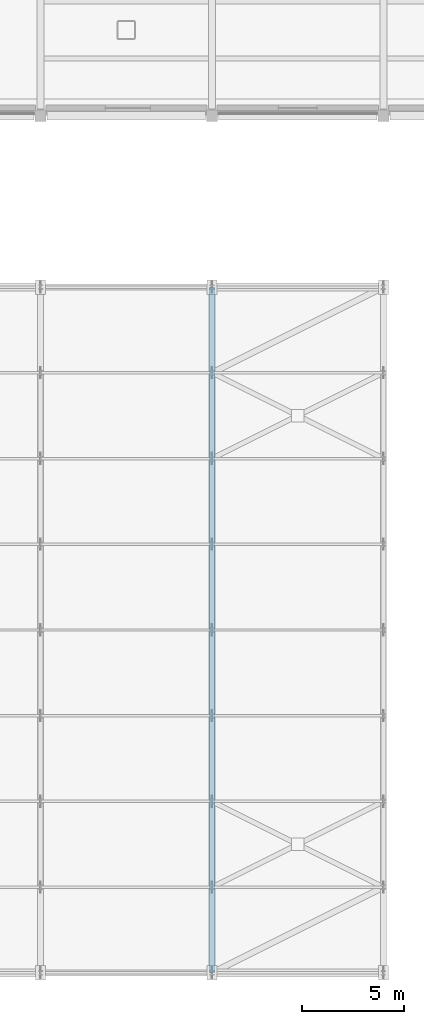
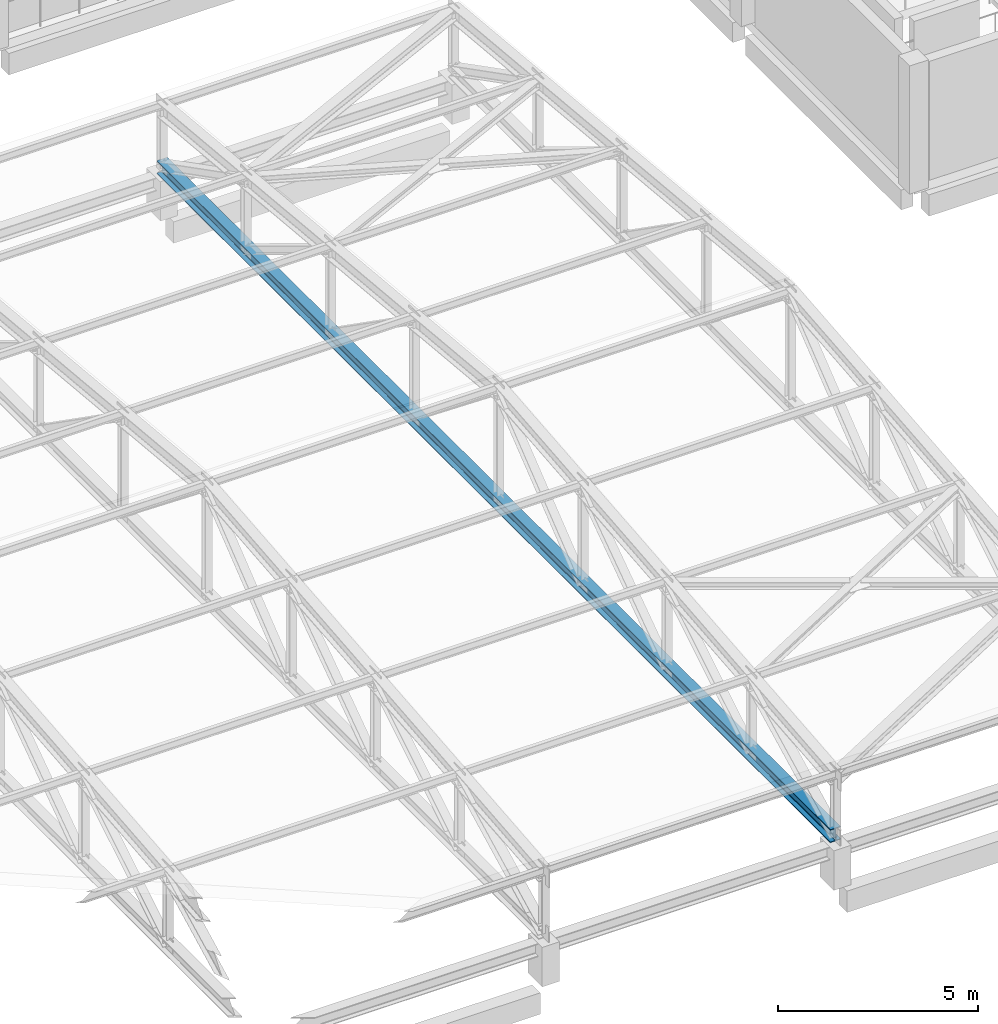
# One storey, part 23 of 74: 1 beam.
"""IFC4 building model written with IfcOpenShell, lengths in metres."""

import ifcopenshell
import ifcopenshell.guid

model = None  # the IFC model being written
_history = None  # IfcOwnerHistory: only IFC2X3 demands one
_inside = {}  # id of a spatial element -> (the spatial element, [elements in it])
_under = {}  # id of a project, library or spatial element -> (it, [spatial elements below it])
_declared = {}  # id of a project -> (the project, [libraries it declares])
_typed = {}  # id of a type object -> (the type object, [elements of that type])
_made_of = {}  # id of a material, layer set ... -> (it, [elements and type objects made of it])


def new_model(schema):
    """Start an empty IFC model of exactly this schema.

    Asked for "IFC4X3", IfcOpenShell would pick the latest addendum, in which some entities
    have other attributes; the version numbers below select the first issue.
    IFC2X3 requires an IfcOwnerHistory on every rooted entity: one is made here for all.
    """
    global model, _history
    if schema == "IFC4X3":
        model = ifcopenshell.file(schema_version=(4, 3, 0, 0))
    else:
        model = ifcopenshell.file(schema=schema)
    _inside.clear()
    _under.clear()
    _declared.clear()
    _typed.clear()
    _made_of.clear()
    _history = None
    if model.schema == "IFC2X3":
        org = make("IfcOrganization", Name="unknown")
        user = make(
            "IfcPersonAndOrganization",
            ThePerson=make("IfcPerson", FamilyName="unknown"),
            TheOrganization=org,
        )
        app = make(
            "IfcApplication",
            ApplicationDeveloper=org,
            Version="unknown",
            ApplicationFullName="unknown",
            ApplicationIdentifier="unknown",
        )
        _history = make(
            "IfcOwnerHistory",
            OwningUser=user,
            OwningApplication=app,
            ChangeAction="ADDED",
            CreationDate=0,
        )
    return model


def make(cls, **values):
    """One entity of the class cls with the attributes given. An attribute that is None is left unset."""
    return model.create_entity(
        cls, **{name: value for name, value in values.items() if value is not None}
    )


def rooted(cls, **values):
    """An entity with a GlobalId (a new one), such as an element, a storey or a relation."""
    return make(cls, GlobalId=ifcopenshell.guid.new(), OwnerHistory=_history, **values)


def si_unit(unit_type, name, prefix=None):
    """IfcSIUnit, for example si_unit("LENGTHUNIT", "METRE", prefix="MILLI")."""
    return make("IfcSIUnit", UnitType=unit_type, Prefix=prefix, Name=name)


def derived_unit(unit_type, elements):
    """IfcDerivedUnit: a product of units, each with its exponent."""
    return make(
        "IfcDerivedUnit",
        Elements=[
            make("IfcDerivedUnitElement", Unit=unit, Exponent=power)
            for unit, power in elements
        ],
        UnitType=unit_type,
    )


def assignment(units):
    """IfcUnitAssignment: the units of a project."""
    return None if units is None else make("IfcUnitAssignment", Units=units)


def point(xyz):
    """IfcCartesianPoint."""
    return None if xyz is None else make("IfcCartesianPoint", Coordinates=xyz)


def direction(xyz):
    """IfcDirection."""
    return None if xyz is None else make("IfcDirection", DirectionRatios=xyz)


def frame(location, z_axis=None, x_axis=None):
    """IfcAxis2Placement3D, a coordinate frame: its origin and axes. An axis left out is left unset."""
    return make(
        "IfcAxis2Placement3D",
        Location=point(location),
        Axis=direction(z_axis),
        RefDirection=direction(x_axis),
    )


def frame_2d(location, x_axis=None):
    """IfcAxis2Placement2D, a coordinate frame in the plane: its origin and x axis."""
    return make(
        "IfcAxis2Placement2D", Location=point(location), RefDirection=direction(x_axis)
    )


def origin():
    """The frame at (0, 0, 0) with its axes left unset."""
    return frame((0.0, 0.0, 0.0))


def origin_2d():
    """The frame at (0, 0) in the plane with its x axis left unset."""
    return frame_2d((0.0, 0.0))


def place(relative_to, where):
    """IfcLocalPlacement: puts the frame where relative to a parent placement (None: the world)."""
    return make(
        "IfcLocalPlacement", PlacementRelTo=relative_to, RelativePlacement=where
    )


def context(
    kind, dimensions, precision=None, world=None, true_north=None, identifier=None
):
    """IfcGeometricRepresentationContext, for example the 3D "Model" context."""
    return make(
        "IfcGeometricRepresentationContext",
        ContextIdentifier=identifier,
        ContextType=kind,
        CoordinateSpaceDimension=dimensions,
        Precision=precision,
        WorldCoordinateSystem=world,
        TrueNorth=true_north,
    )


def subcontext(parent, identifier, kind, view, scale=None):
    """IfcGeometricRepresentationSubContext, for example "Body" below "Model"."""
    return make(
        "IfcGeometricRepresentationSubContext",
        ContextIdentifier=identifier,
        ContextType=kind,
        ParentContext=parent,
        TargetScale=scale,
        TargetView=view,
    )


def project(units=None, contexts=None):
    """IfcProject with its units and contexts."""
    return rooted(
        "IfcProject",
        Name="project",
        RepresentationContexts=contexts,
        UnitsInContext=assignment(units),
    )


def spatial(cls, under=None, at=None, **own):
    """A site, building, storey or space (cls), placed at a placement, below another one or the project."""
    s = rooted(cls, ObjectPlacement=at, **own)
    if under is not None:
        _under.setdefault(under.id(), (under, []))[1].append(s)
    return s


def profile(cls, at=None, kind="AREA", **sizes):
    """A parametric profile (cls). Its sizes go by their IFC names, for example OverallWidth=200.0."""
    return make(cls, ProfileType=kind, Position=at, **sizes)


def i_section(**sizes):
    """IfcIShapeProfileDef."""
    return profile("IfcIShapeProfileDef", **sizes)


def extrude(swept, where, along, depth):
    """IfcExtrudedAreaSolid: the profile swept, set in the frame where, extruded along a direction by depth."""
    return make(
        "IfcExtrudedAreaSolid",
        SweptArea=swept,
        Position=where,
        ExtrudedDirection=direction(along),
        Depth=depth,
    )


def shape(context_of_items, identifier, shape_type, items):
    """IfcShapeRepresentation: the items that make up one representation, for example the "Body"."""
    return make(
        "IfcShapeRepresentation",
        ContextOfItems=context_of_items,
        RepresentationIdentifier=identifier,
        RepresentationType=shape_type,
        Items=items,
    )


def material(Name=None, Category=None):
    """IfcMaterial."""
    return make("IfcMaterial", Name=Name, Category=Category)


def material_profile(
    of_material, cross_section, Name=None, Category=None, Priority=None
):
    """IfcMaterialProfile: a cross section and its material."""
    return make(
        "IfcMaterialProfile",
        Name=Name,
        Material=of_material,
        Profile=cross_section,
        Priority=Priority,
        Category=Category,
    )


def profile_set(profiles, Name=None, composite=None):
    """IfcMaterialProfileSet."""
    return make(
        "IfcMaterialProfileSet",
        Name=Name,
        MaterialProfiles=profiles,
        CompositeProfile=composite,
    )


def made_of(thing, what):
    """Note that an element or type object is made of a material, layer set ...; save() writes the relation."""
    if what is not None:
        _made_of.setdefault(what.id(), (what, []))[1].append(thing)
    return thing


def type_object(cls, material=None, **own):
    """A type object (cls), such as IfcWallType, which elements share."""
    return made_of(rooted(cls, **own), material)


def element(
    cls,
    number,
    at=None,
    inside=None,
    cuts=None,
    type_object=None,
    material=None,
    context=None,
    identifier="Body",
    shape_type=None,
    held_by="IfcProductDefinitionShape",
    body=None,
    shapes=None,
    **own,
):
    """One element of the class cls, such as IfcWall. Its Tag is "e" and its number.

    at: its placement. inside: the storey or other place that contains it. cuts: it is an
    opening in that element (IfcRelVoidsElement). A single representation is given by context,
    identifier, shape_type and body (its items); several are given by shapes. held_by: the class
    of the entity that holds the representations. save() writes the other relations.
    """
    e = rooted(cls, Tag="e%d" % number, ObjectPlacement=at, **own)
    if body is not None:
        shapes = [shape(context, identifier, shape_type, body)]
    if shapes is not None:
        e.Representation = make(held_by, Representations=shapes)
    if inside is not None:
        _inside.setdefault(inside.id(), (inside, []))[1].append(e)
    if cuts is not None:
        rooted(
            "IfcRelVoidsElement", RelatingBuildingElement=cuts, RelatedOpeningElement=e
        )
    if type_object is not None:
        _typed.setdefault(type_object.id(), (type_object, []))[1].append(e)
    return made_of(e, material)


def aggregate(whole, parts):
    """IfcRelAggregates: a whole, such as a stair, and the parts it consists of."""
    return rooted("IfcRelAggregates", RelatingObject=whole, RelatedObjects=parts)


def save(model, path):
    """Write the relations noted so far, then the file.

    IfcRelAggregates (storeys below a building ...), IfcRelContainedInSpatialStructure (elements
    in a storey), IfcRelDefinesByType, IfcRelAssociatesMaterial and IfcRelDeclares: one each for
    every whole, place, type object, material and project.
    """
    for whole, parts in _under.values():
        aggregate(whole, parts)
    for where, things in _inside.values():
        rooted(
            "IfcRelContainedInSpatialStructure",
            RelatedElements=things,
            RelatingStructure=where,
        )
    for kind, things in _typed.values():
        rooted("IfcRelDefinesByType", RelatedObjects=things, RelatingType=kind)
    for what, things in _made_of.values():
        rooted("IfcRelAssociatesMaterial", RelatedObjects=things, RelatingMaterial=what)
    for by, libraries in _declared.values():
        rooted("IfcRelDeclares", RelatingContext=by, RelatedDefinitions=libraries)
    model.write(path)


model = new_model("IFC4")

# Units and contexts
model_context = context("Model", 3, precision=1e-05, world=origin(), true_north=direction((0.0, 1.0)))
body_context = subcontext(model_context, "Body", "Model", "MODEL_VIEW")
ifc_project = project(units=[si_unit("LENGTHUNIT", "METRE"), si_unit("AREAUNIT", "SQUARE_METRE"), si_unit("VOLUMEUNIT", "CUBIC_METRE"), si_unit("PLANEANGLEUNIT", "RADIAN"), si_unit("MASSUNIT", "GRAM", prefix="KILO"), derived_unit("THERMALTRANSMITTANCEUNIT", [(si_unit("POWERUNIT", "WATT"), 1), (si_unit("LENGTHUNIT", "METRE"), -2), (si_unit("THERMODYNAMICTEMPERATUREUNIT", "KELVIN"), -1)])], contexts=[model_context])

# Site, building, storey
site_placement = place(None, origin())
site = spatial("IfcSite", under=ifc_project, at=site_placement, CompositionType="ELEMENT")
building_placement = place(site_placement, origin())
building = spatial("IfcBuilding", under=site, at=building_placement, Name="Elbkamm Science Centre", CompositionType="ELEMENT")
storey_placement = place(building_placement, frame((0.0, 0.0, 14.39990234375)))
storey = spatial("IfcBuildingStorey", under=building, at=storey_placement, Name="L03", CompositionType="ELEMENT", Elevation=14.39990234375)

# Beam
ifc_material = material(Name="Steel EN 10025-2 S355J2", Category="steel")
ifc_material_profile = material_profile(ifc_material, i_section(OverallWidth=0.300048828125, OverallDepth=0.39990234375, WebThickness=0.013427734375, FlangeThickness=0.02392578125, FilletRadius=0.027099609375, at=origin_2d()), Name="HEB 400")
ifc_profile_set = profile_set([ifc_material_profile], Name="Steel EN 10025-2 S355J2")
beam_type = type_object("IfcBeamType", Name="BM-STL-HEB400", PredefinedType="BEAM", material=ifc_profile_set)
beam_placement = place(storey_placement, frame((109.199951171875, 0.0, 1.400146484375), z_axis=(0.0, 1.0, 0.0), x_axis=(-1.0, 0.0, 0.0)))
element("IfcBeam", 1, at=beam_placement, inside=storey, type_object=beam_type, Name="Theatre Steel Truss 06 Continuous Bottom Tie Chord", PredefinedType="BEAM", context=body_context, shape_type="SweptSolid", body=[
    extrude(i_section(OverallWidth=0.300048828125, OverallDepth=0.39990234375, WebThickness=0.013427734375, FlangeThickness=0.02392578125, FilletRadius=0.027099609375, at=origin_2d()), origin(), (0.0, 0.0, 1.0), 33.60009765625),
])

save(model, "model.ifc")
